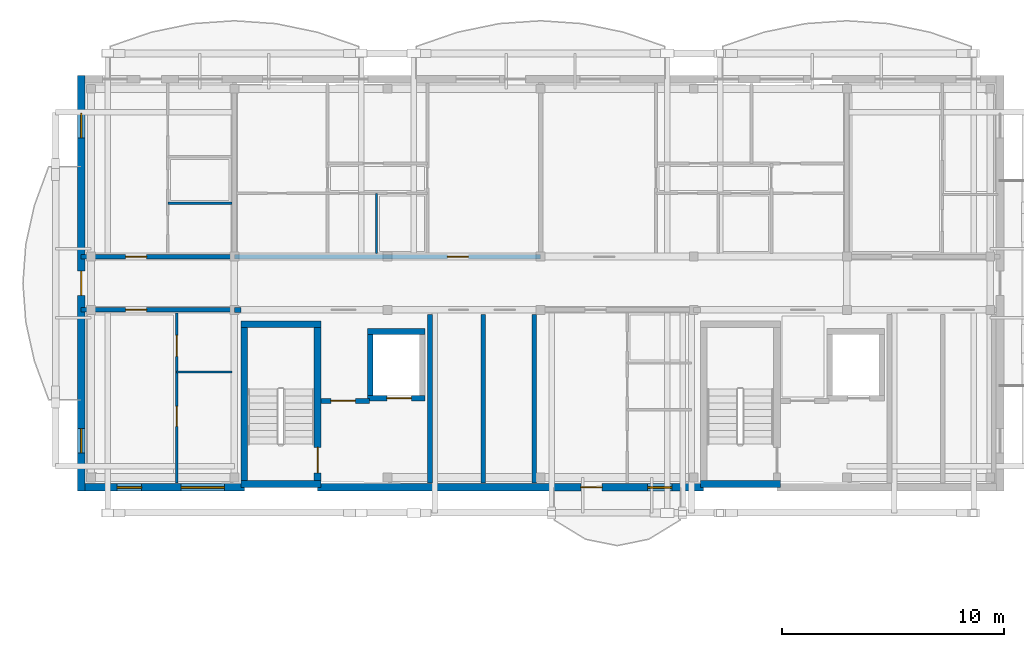
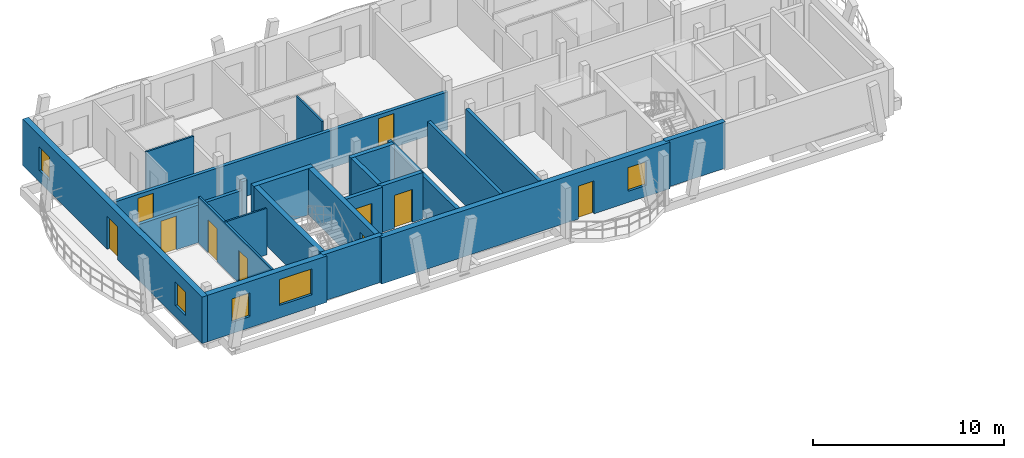
# One storey, part 19 of 41: 23 walls, 10 doors, 5 windows, 15 openings.
"""IFC4 building model written with IfcOpenShell, lengths in metres."""

from ifc_helpers import new_model, si_unit, direction, frame, frame_2d, origin, origin_with_axes, place, context, subcontext, project, spatial, rectangle, extrude, material, layer, layer_set, type_object, element, fill, save


model = new_model("IFC4")

# Units and contexts
model_context = context("Model", 3, precision=1e-05, world=origin(), true_north=direction((0.0, 1.0)))
body_context = subcontext(model_context, "Body", "Model", "MODEL_VIEW")
ifc_project = project(units=[si_unit("LENGTHUNIT", "METRE"), si_unit("AREAUNIT", "SQUARE_METRE"), si_unit("VOLUMEUNIT", "CUBIC_METRE"), si_unit("PLANEANGLEUNIT", "RADIAN"), si_unit("MASSUNIT", "GRAM", prefix="KILO")], contexts=[model_context])

# Site, building, storey
site_placement = place(None, origin())
site = spatial("IfcSite", under=ifc_project, at=site_placement, CompositionType="ELEMENT")
building_placement = place(site_placement, origin())
building = spatial("IfcBuilding", under=site, at=building_placement, Name="Zavelmont Quarter", CompositionType="ELEMENT")
storey_placement = place(building_placement, frame((0.0, 0.0, 27.199951171875)))
storey = spatial("IfcBuildingStorey", under=building, at=storey_placement, Name="L08", CompositionType="ELEMENT", Elevation=27.199951171875)

# Wall, openings, windows
ifc_material_1 = material(Name="Natural Belgian limestone", Category="masonry")
ifc_layer_1 = layer(ifc_material_1, 0.340087890625)
ifc_layer_set_1 = layer_set([ifc_layer_1], Name="Natural Belgian limestone")
wall_type_1 = type_object("IfcWallType", Name="EW03", PredefinedType="STANDARD", material=ifc_layer_set_1)
wall_1_placement = place(storey_placement, frame((0.159912109375, 97.60009765625, 0.0), z_axis=(0.0, 0.0, 1.0), x_axis=(1.0, 0.0, 0.0)))
wall_1 = element("IfcWall", 1, at=wall_1_placement, inside=storey, type_object=wall_type_1, Name="L08 exterior limestone wall EW03", PredefinedType="STANDARD", context=body_context, shape_type="SweptSolid", body=[
    extrude(rectangle(XDim=7.190185546875, YDim=0.340087890625, at=frame_2d((3.59521484375, 0.0))), origin(), (0.0, 0.0, 1.0), 2.9599609375),
])
opening_1_placement = place(wall_1_placement, frame((1.4599609375, 0.0, 0.719970703125)))
opening_1 = element("IfcOpeningElement", 2, at=opening_1_placement, cuts=wall_1, Name="Opening WN09", PredefinedType="OPENING", context=body_context, shape_type="SweptSolid", body=[
    extrude(rectangle(XDim=1.10009765625, YDim=1.5, at=frame_2d((0.550048828125, 0.75))), frame((0.0, 0.18212890625, 0.0), z_axis=(0.0, -1.0, 0.0), x_axis=(1.0, 0.0, 0.0)), (0.0, 0.0, 1.0), 0.364013671875),
])
opening_2_placement = place(wall_1_placement, frame((4.33740234375, 0.0, 0.800048828125)))
opening_2 = element("IfcOpeningElement", 3, at=opening_2_placement, cuts=wall_1, Name="Opening WN24", PredefinedType="OPENING", context=body_context, shape_type="SweptSolid", body=[
    extrude(rectangle(XDim=1.949951171875, YDim=1.64990234375, at=frame_2d((0.97509765625, 0.824951171875))), frame((0.0, 0.18212890625, 0.0), z_axis=(0.0, -1.0, 0.0), x_axis=(1.0, 0.0, 0.0)), (0.0, 0.0, 1.0), 0.364013671875),
])
ifc_material_2 = material(Name="Double low-E insulated glazing in thermally broken aluminium frame", Category="aluminium")
window_type_1 = type_object("IfcWindowType", Name="WN09", PartitioningType="SINGLE_PANEL", PredefinedType="WINDOW", material=ifc_material_2)
window_1_placement = place(opening_1_placement, origin_with_axes())
window_1 = element("IfcWindow", 4, at=window_1_placement, inside=storey, type_object=window_type_1, Name="L08 window WN09", OverallHeight=1.5, OverallWidth=1.10009765625, PartitioningType="SINGLE_PANEL", PredefinedType="WINDOW", context=body_context, shape_type="SweptSolid", body=[
    extrude(rectangle(XDim=1.10009765625, YDim=1.5, at=frame_2d((0.550048828125, 0.75))), frame((0.0, 0.030029296875, 0.0), z_axis=(0.0, -1.0, 0.0), x_axis=(1.0, 0.0, 0.0)), (0.0, 0.0, 1.0), 0.06005859375),
])
fill(opening_1, window_1)
window_type_2 = type_object("IfcWindowType", Name="WN24", PartitioningType="SINGLE_PANEL", PredefinedType="WINDOW", material=ifc_material_2)
window_2_placement = place(opening_2_placement, origin_with_axes())
window_2 = element("IfcWindow", 5, at=window_2_placement, inside=storey, type_object=window_type_2, Name="L08 window WN24", OverallHeight=1.64990234375, OverallWidth=1.949951171875, PartitioningType="SINGLE_PANEL", PredefinedType="WINDOW", context=body_context, shape_type="SweptSolid", body=[
    extrude(rectangle(XDim=1.949951171875, YDim=1.64990234375, at=frame_2d((0.97509765625, 0.824951171875))), frame((0.0, 0.030029296875, 0.0), z_axis=(0.0, -1.0, 0.0), x_axis=(1.0, 0.0, 0.0)), (0.0, 0.0, 1.0), 0.06005859375),
])
fill(opening_2, window_2)

# Wall, openings, door, window
wall_2_placement = place(storey_placement, frame((10.64990234375, 97.60009765625, 0.0), z_axis=(0.0, 0.0, 1.0), x_axis=(1.0, 0.0, 0.0)))
wall_2 = element("IfcWall", 6, at=wall_2_placement, inside=storey, type_object=wall_type_1, Name="L08 exterior limestone wall EW03", PredefinedType="STANDARD", context=body_context, shape_type="SweptSolid", body=[
    extrude(rectangle(XDim=17.400146484375, YDim=0.340087890625, at=frame_2d((8.7001953125, 0.0))), origin(), (0.0, 0.0, 1.0), 2.9599609375),
])
opening_3_placement = place(wall_2_placement, frame((11.8701171875, 0.0, 0.0)))
opening_3 = element("IfcOpeningElement", 7, at=opening_3_placement, cuts=wall_2, Name="Opening DR04", PredefinedType="OPENING", context=body_context, shape_type="SweptSolid", body=[
    extrude(rectangle(XDim=0.949951171875, YDim=2.10009765625, at=frame_2d((0.47509765625, 1.050048828125))), frame((0.0, 0.18212890625, 0.0), z_axis=(0.0, -1.0, 0.0), x_axis=(1.0, 0.0, 0.0)), (0.0, 0.0, 1.0), 0.364013671875),
])
opening_4_placement = place(wall_2_placement, frame((14.8701171875, 0.0, 0.719970703125)))
opening_4 = element("IfcOpeningElement", 8, at=opening_4_placement, cuts=wall_2, Name="Opening WN09", PredefinedType="OPENING", context=body_context, shape_type="SweptSolid", body=[
    extrude(rectangle(XDim=1.10009765625, YDim=1.5, at=frame_2d((0.550048828125, 0.75))), frame((0.0, 0.18212890625, 0.0), z_axis=(0.0, -1.0, 0.0), x_axis=(1.0, 0.0, 0.0)), (0.0, 0.0, 1.0), 0.364013671875),
])
ifc_material_3 = material(Name="Thermally broken aluminium and double safety glass", Category="aluminium")
door_type_1 = type_object("IfcDoorType", Name="DR04", OperationType="NOTDEFINED", PredefinedType="DOOR", material=ifc_material_3)
door_1_placement = place(opening_3_placement, origin_with_axes())
door_1 = element("IfcDoor", 9, at=door_1_placement, inside=storey, type_object=door_type_1, Name="Block B L08 glazed balcony door", OperationType="SINGLE_SWING_RIGHT", OverallHeight=2.10009765625, OverallWidth=0.949951171875, PredefinedType="DOOR", context=body_context, shape_type="SweptSolid", body=[
    extrude(rectangle(XDim=0.949951171875, YDim=2.10009765625, at=frame_2d((0.47509765625, 1.050048828125))), frame((0.0, 0.02490234375, 0.0), z_axis=(0.0, -1.0, 0.0), x_axis=(1.0, 0.0, 0.0)), (0.0, 0.0, 1.0), 0.050048828125),
])
fill(opening_3, door_1)
window_3_placement = place(opening_4_placement, origin_with_axes())
window_3 = element("IfcWindow", 10, at=window_3_placement, inside=storey, type_object=window_type_1, Name="L08 window WN09", OverallHeight=1.5, OverallWidth=1.10009765625, PartitioningType="SINGLE_PANEL", PredefinedType="WINDOW", context=body_context, shape_type="SweptSolid", body=[
    extrude(rectangle(XDim=1.10009765625, YDim=1.5, at=frame_2d((0.550048828125, 0.75))), frame((0.0, 0.030029296875, 0.0), z_axis=(0.0, -1.0, 0.0), x_axis=(1.0, 0.0, 0.0)), (0.0, 0.0, 1.0), 0.06005859375),
])
fill(opening_4, window_3)

# Wall, openings, door, windows
wall_3_placement = place(storey_placement, frame((0.0, 97.429931640625, 0.0), z_axis=(0.0, 0.0, 1.0), x_axis=(0.0, 1.0, 0.0)))
wall_3 = element("IfcWall", 11, at=wall_3_placement, inside=storey, type_object=wall_type_1, Name="L08 exterior limestone wall EW03", PredefinedType="STANDARD", context=body_context, shape_type="SweptSolid", body=[
    extrude(rectangle(XDim=18.739990234375, YDim=0.340087890625, at=frame_2d((9.3701171875, 0.0))), origin(), (0.0, 0.0, 1.0), 2.9599609375),
])
opening_5_placement = place(wall_3_placement, frame((8.820068359375, 0.0, 0.0)))
opening_5 = element("IfcOpeningElement", 12, at=opening_5_placement, cuts=wall_3, Name="Opening DR04B", PredefinedType="OPENING", context=body_context, shape_type="SweptSolid", body=[
    extrude(rectangle(XDim=1.10009765625, YDim=2.10009765625, at=frame_2d((0.550048828125, 1.050048828125))), frame((0.0, 0.18212890625, 0.0), z_axis=(0.0, -1.0, 0.0), x_axis=(1.0, 0.0, 0.0)), (0.0, 0.0, 1.0), 0.364013671875),
])
opening_6_placement = place(wall_3_placement, frame((1.719970703125, 0.0, 0.719970703125)))
opening_6 = element("IfcOpeningElement", 13, at=opening_6_placement, cuts=wall_3, Name="Opening WN09", PredefinedType="OPENING", context=body_context, shape_type="SweptSolid", body=[
    extrude(rectangle(XDim=1.10009765625, YDim=1.5, at=frame_2d((0.550048828125, 0.75))), frame((0.0, 0.18212890625, 0.0), z_axis=(0.0, -1.0, 0.0), x_axis=(1.0, 0.0, 0.0)), (0.0, 0.0, 1.0), 0.364013671875),
])
opening_7_placement = place(wall_3_placement, frame((15.919921875, 0.0, 0.719970703125)))
opening_7 = element("IfcOpeningElement", 14, at=opening_7_placement, cuts=wall_3, Name="Opening WN09", PredefinedType="OPENING", context=body_context, shape_type="SweptSolid", body=[
    extrude(rectangle(XDim=1.10009765625, YDim=1.5, at=frame_2d((0.550048828125, 0.75))), frame((0.0, 0.18212890625, 0.0), z_axis=(0.0, -1.0, 0.0), x_axis=(1.0, 0.0, 0.0)), (0.0, 0.0, 1.0), 0.364013671875),
])
door_type_2 = type_object("IfcDoorType", Name="DR04B", OperationType="NOTDEFINED", PredefinedType="DOOR", material=ifc_material_3)
door_2_placement = place(opening_5_placement, frame((1.10009765625, 0.0, 0.0), z_axis=(0.0, 0.0, 1.0), x_axis=(-1.0, 0.0, 0.0)))
door_2 = element("IfcDoor", 15, at=door_2_placement, inside=storey, type_object=door_type_2, Name="Block B L08 terrace or vase balcony door", OperationType="SINGLE_SWING_LEFT", OverallHeight=2.10009765625, OverallWidth=1.10009765625, PredefinedType="DOOR", context=body_context, shape_type="SweptSolid", body=[
    extrude(rectangle(XDim=1.10009765625, YDim=2.10009765625, at=frame_2d((0.550048828125, 1.050048828125))), frame((0.0, 0.02490234375, 0.0), z_axis=(0.0, -1.0, 0.0), x_axis=(1.0, 0.0, 0.0)), (0.0, 0.0, 1.0), 0.050048828125),
])
fill(opening_5, door_2)
window_4_placement = place(opening_6_placement, origin_with_axes())
window_4 = element("IfcWindow", 16, at=window_4_placement, inside=storey, type_object=window_type_1, Name="L08 window WN09", OverallHeight=1.5, OverallWidth=1.10009765625, PartitioningType="SINGLE_PANEL", PredefinedType="WINDOW", context=body_context, shape_type="SweptSolid", body=[
    extrude(rectangle(XDim=1.10009765625, YDim=1.5, at=frame_2d((0.550048828125, 0.75))), frame((0.0, 0.030029296875, 0.0), z_axis=(0.0, -1.0, 0.0), x_axis=(1.0, 0.0, 0.0)), (0.0, 0.0, 1.0), 0.06005859375),
])
fill(opening_6, window_4)
window_5_placement = place(opening_7_placement, origin_with_axes())
window_5 = element("IfcWindow", 17, at=window_5_placement, inside=storey, type_object=window_type_1, Name="L08 window WN09", OverallHeight=1.5, OverallWidth=1.10009765625, PartitioningType="SINGLE_PANEL", PredefinedType="WINDOW", context=body_context, shape_type="SweptSolid", body=[
    extrude(rectangle(XDim=1.10009765625, YDim=1.5, at=frame_2d((0.550048828125, 0.75))), frame((0.0, 0.030029296875, 0.0), z_axis=(0.0, -1.0, 0.0), x_axis=(1.0, 0.0, 0.0)), (0.0, 0.0, 1.0), 0.06005859375),
])
fill(opening_7, window_5)

# Walls
ifc_material_4 = material(Name="Calcium-silicate blockwork and acoustic plaster", Category="masonry")
ifc_layer_2 = layer(ifc_material_4, 0.199951171875)
ifc_layer_set_2 = layer_set([ifc_layer_2], Name="Calcium-silicate blockwork and acoustic plaster")
wall_type_2 = type_object("IfcWallType", Name="IW01", PredefinedType="PARTITIONING", material=ifc_layer_set_2)
for number, where, z_axis, x_axis, name in (
    (18, (18.125, 97.800048828125, 0.0), (0.0, 0.0, 1.0), (0.0, 1.0, 0.0), "L08 Service riser divider wall IW01"),
    (19, (20.419921875, 97.800048828125, 0.0), (0.0, 0.0, 1.0), (0.0, 1.0, 0.0), "L08 Core service end wall IW01"),
):
    element("IfcWall", number, at=place(storey_placement, frame(where, z_axis=z_axis, x_axis=x_axis)), inside=storey, type_object=wall_type_2, Name=name, PredefinedType="PARTITIONING", context=body_context, shape_type="SweptSolid", body=[
        extrude(rectangle(XDim=7.599853515625, YDim=0.199951171875, at=frame_2d((3.7998046875, 0.0))), origin(), (0.0, 0.0, 1.0), 2.9599609375),
    ])

# Wall, opening, door
wall_4_placement = place(storey_placement, frame((0.0, 108.0, 0.0), z_axis=(0.0, 0.0, 1.0), x_axis=(1.0, 0.0, 0.0)))
wall_4 = element("IfcWall", 20, at=wall_4_placement, inside=storey, type_object=wall_type_2, Name="L08 Corridor compartment wall IW01", PredefinedType="PARTITIONING", context=body_context, shape_type="SweptSolid", body=[
    extrude(rectangle(XDim=6.89990234375, YDim=0.199951171875, at=frame_2d((3.449951171875, 0.0))), origin(), (0.0, 0.0, 1.0), 2.400146484375),
])
opening_8_placement = place(wall_4_placement, frame((2.0, 0.0, 0.0)))
opening_8 = element("IfcOpeningElement", 21, at=opening_8_placement, cuts=wall_4, Name="Opening DR02", PredefinedType="OPENING", context=body_context, shape_type="SweptSolid", body=[
    extrude(rectangle(XDim=0.949951171875, YDim=2.14990234375, at=frame_2d((0.47509765625, 1.074951171875))), frame((0.0, 0.11181640625, 0.0), z_axis=(0.0, -1.0, 0.0), x_axis=(1.0, 0.0, 0.0)), (0.0, 0.0, 1.0), 0.223876953125),
])
ifc_material_5 = material(Name="Solid-core oak fire leaf in steel frame", Category="steel")
door_type_3 = type_object("IfcDoorType", Name="DR02", OperationType="NOTDEFINED", PredefinedType="DOOR", material=ifc_material_5)
door_3_placement = place(opening_8_placement, origin_with_axes())
door_3 = element("IfcDoor", 22, at=door_3_placement, inside=storey, type_object=door_type_3, Name="L08 door DR02", OperationType="SINGLE_SWING_LEFT", OverallHeight=2.14990234375, OverallWidth=0.949951171875, PredefinedType="DOOR", context=body_context, shape_type="SweptSolid", body=[
    extrude(rectangle(XDim=0.949951171875, YDim=2.14990234375, at=frame_2d((0.47509765625, 1.074951171875))), frame((0.0, 0.02490234375, 0.0), z_axis=(0.0, -1.0, 0.0), x_axis=(1.0, 0.0, 0.0)), (0.0, 0.0, 1.0), 0.050048828125),
])
fill(opening_8, door_3)

wall_5_placement = place(storey_placement, frame((6.89990234375, 108.0, 0.0), z_axis=(0.0, 0.0, 1.0), x_axis=(1.0, 0.0, 0.0)))
wall_5 = element("IfcWall", 23, at=wall_5_placement, inside=storey, type_object=wall_type_2, Name="L08 Corridor compartment wall IW01", PredefinedType="PARTITIONING", context=body_context, shape_type="SweptSolid", body=[
    extrude(rectangle(XDim=13.800048828125, YDim=0.199951171875, at=frame_2d((6.89990234375, 0.0))), origin(), (0.0, 0.0, 1.0), 2.400146484375),
])
opening_9_placement = place(wall_5_placement, frame((9.60009765625, 0.0, 0.0)))
opening_9 = element("IfcOpeningElement", 24, at=opening_9_placement, cuts=wall_5, Name="Opening DR02", PredefinedType="OPENING", context=body_context, shape_type="SweptSolid", body=[
    extrude(rectangle(XDim=0.949951171875, YDim=2.14990234375, at=frame_2d((0.47509765625, 1.074951171875))), frame((0.0, 0.11181640625, 0.0), z_axis=(0.0, -1.0, 0.0), x_axis=(1.0, 0.0, 0.0)), (0.0, 0.0, 1.0), 0.223876953125),
])
door_4_placement = place(opening_9_placement, origin_with_axes())
door_4 = element("IfcDoor", 25, at=door_4_placement, inside=storey, type_object=door_type_3, Name="L08 door DR02", OperationType="SINGLE_SWING_RIGHT", OverallHeight=2.14990234375, OverallWidth=0.949951171875, PredefinedType="DOOR", context=body_context, shape_type="SweptSolid", body=[
    extrude(rectangle(XDim=0.949951171875, YDim=2.14990234375, at=frame_2d((0.47509765625, 1.074951171875))), frame((0.0, 0.02490234375, 0.0), z_axis=(0.0, -1.0, 0.0), x_axis=(1.0, 0.0, 0.0)), (0.0, 0.0, 1.0), 0.050048828125),
])
fill(opening_9, door_4)

wall_6_placement = place(storey_placement, frame((0.0, 105.60009765625, 0.0), z_axis=(0.0, 0.0, 1.0), x_axis=(1.0, 0.0, 0.0)))
wall_6 = element("IfcWall", 26, at=wall_6_placement, inside=storey, type_object=wall_type_2, Name="L08 Corridor compartment wall IW01", PredefinedType="PARTITIONING", context=body_context, shape_type="SweptSolid", body=[
    extrude(rectangle(XDim=6.89990234375, YDim=0.199951171875, at=frame_2d((3.449951171875, 0.0))), origin(), (0.0, 0.0, 1.0), 2.400146484375),
])
opening_10_placement = place(wall_6_placement, frame((2.0, 0.0, 0.0)))
opening_10 = element("IfcOpeningElement", 27, at=opening_10_placement, cuts=wall_6, Name="Opening DR02", PredefinedType="OPENING", context=body_context, shape_type="SweptSolid", body=[
    extrude(rectangle(XDim=0.949951171875, YDim=2.14990234375, at=frame_2d((0.47509765625, 1.074951171875))), frame((0.0, 0.11181640625, 0.0), z_axis=(0.0, -1.0, 0.0), x_axis=(1.0, 0.0, 0.0)), (0.0, 0.0, 1.0), 0.223876953125),
])
door_5_placement = place(opening_10_placement, frame((0.949951171875, 0.0, 0.0), z_axis=(0.0, 0.0, 1.0), x_axis=(-1.0, 0.0, 0.0)))
door_5 = element("IfcDoor", 28, at=door_5_placement, inside=storey, type_object=door_type_3, Name="L08 door DR02", OperationType="SINGLE_SWING_LEFT", OverallHeight=2.14990234375, OverallWidth=0.949951171875, PredefinedType="DOOR", context=body_context, shape_type="SweptSolid", body=[
    extrude(rectangle(XDim=0.949951171875, YDim=2.14990234375, at=frame_2d((0.47509765625, 1.074951171875))), frame((0.0, 0.02490234375, 0.0), z_axis=(0.0, -1.0, 0.0), x_axis=(1.0, 0.0, 0.0)), (0.0, 0.0, 1.0), 0.050048828125),
])
fill(opening_10, door_5)

# Wall
ifc_material_6 = material(Name="Reinforced masonry fire compartment wall", Category="masonry")
ifc_layer_3 = layer(ifc_material_6, 0.22509765625)
ifc_layer_set_3 = layer_set([ifc_layer_3], Name="Reinforced masonry fire compartment wall")
wall_type_3 = type_object("IfcWallType", Name="IW02", PredefinedType="PARTITIONING", material=ifc_layer_set_3)
wall_7_placement = place(storey_placement, frame((15.7099609375, 97.800048828125, 0.0), z_axis=(0.0, 0.0, 1.0), x_axis=(0.0, 1.0, 0.0)))
element("IfcWall", 29, at=wall_7_placement, inside=storey, type_object=wall_type_3, Name="L08 Firefighting lobby enclosure wall IW02", PredefinedType="PARTITIONING", context=body_context, shape_type="SweptSolid", body=[
    extrude(rectangle(XDim=7.599853515625, YDim=0.22509765625, at=frame_2d((3.7998046875, 0.0))), origin(), (0.0, 0.0, 1.0), 2.590087890625),
])

# Wall, opening, door
wall_8_placement = place(storey_placement, frame((10.800048828125, 101.5, 0.0), z_axis=(0.0, 0.0, 1.0), x_axis=(1.0, 0.0, 0.0)))
wall_8 = element("IfcWall", 30, at=wall_8_placement, inside=storey, type_object=wall_type_3, Name="L08 Firefighting lobby threshold wall IW02", PredefinedType="PARTITIONING", context=body_context, shape_type="SweptSolid", body=[
    extrude(rectangle(XDim=2.199951171875, YDim=0.22509765625, at=frame_2d((1.10009765625, 0.0))), origin(), (0.0, 0.0, 1.0), 2.9599609375),
])
opening_11_placement = place(wall_8_placement, frame((0.449951171875, 0.0, 0.0)))
opening_11 = element("IfcOpeningElement", 31, at=opening_11_placement, cuts=wall_8, Name="Opening DR10", PredefinedType="OPENING", context=body_context, shape_type="SweptSolid", body=[
    extrude(rectangle(XDim=1.10009765625, YDim=2.14990234375, at=frame_2d((0.550048828125, 1.074951171875))), frame((0.0, 0.12451171875, 0.0), z_axis=(0.0, -1.0, 0.0), x_axis=(1.0, 0.0, 0.0)), (0.0, 0.0, 1.0), 0.2490234375),
])
ifc_material_7 = material(Name="Painted steel lobby fire door", Category="steel")
door_type_4 = type_object("IfcDoorType", Name="DR10", OperationType="NOTDEFINED", PredefinedType="DOOR", material=ifc_material_7)
door_6_placement = place(opening_11_placement, frame((1.10009765625, 0.0, 0.0), z_axis=(0.0, 0.0, 1.0), x_axis=(-1.0, 0.0, 0.0)))
door_6 = element("IfcDoor", 32, at=door_6_placement, inside=storey, type_object=door_type_4, Name="Firefighting lobby fire door", OperationType="SINGLE_SWING_RIGHT", OverallHeight=2.14990234375, OverallWidth=1.10009765625, PredefinedType="DOOR", context=body_context, shape_type="SweptSolid", body=[
    extrude(rectangle(XDim=1.10009765625, YDim=2.14990234375, at=frame_2d((0.550048828125, 1.074951171875))), frame((0.0, 0.02490234375, 0.0), z_axis=(0.0, -1.0, 0.0), x_axis=(1.0, 0.0, 0.0)), (0.0, 0.0, 1.0), 0.050048828125),
])
fill(opening_11, door_6)

# Wall
wall_9_placement = place(storey_placement, frame((6.89990234375, 105.60009765625, 0.0), z_axis=(0.0, 0.0, 1.0), x_axis=(1.0, 0.0, 0.0)))
element("IfcWall", 33, at=wall_9_placement, inside=storey, type_object=wall_type_3, Name="L08 Core corridor wall IW02", PredefinedType="PARTITIONING", context=body_context, shape_type="SweptSolid", body=[
    extrude(rectangle(XDim=0.300048828125, YDim=0.22509765625, at=frame_2d((0.14990234375, 0.0))), origin(), (0.0, 0.0, 1.0), 2.9599609375),
])

# Wall, openings, doors
ifc_material_8 = material(Name="Double gypsum board on acoustic steel stud", Category="steel")
ifc_layer_4 = layer(ifc_material_8, 0.125)
ifc_layer_set_4 = layer_set([ifc_layer_4], Name="Double gypsum board on acoustic steel stud")
wall_type_4 = type_object("IfcWallType", Name="IW03", PredefinedType="PARTITIONING", material=ifc_layer_set_4)
wall_10_placement = place(storey_placement, frame((4.300048828125, 105.449951171875, 0.0), z_axis=(0.0, 0.0, 1.0), x_axis=(0.0, -1.0, 0.0)))
wall_10 = element("IfcWall", 34, at=wall_10_placement, inside=storey, type_object=wall_type_4, Name="L08 Partition IW03", PredefinedType="PARTITIONING", context=body_context, shape_type="SweptSolid", body=[
    extrude(rectangle(XDim=7.64990234375, YDim=0.125, at=frame_2d((3.824951171875, 0.0))), origin(), (0.0, 0.0, 1.0), 2.9599609375),
])
opening_12_placement = place(wall_10_placement, frame((1.0, 0.0, 0.0)))
opening_12 = element("IfcOpeningElement", 35, at=opening_12_placement, cuts=wall_10, Name="Opening DR17", PredefinedType="OPENING", context=body_context, shape_type="SweptSolid", body=[
    extrude(rectangle(XDim=0.949951171875, YDim=2.10009765625, at=frame_2d((0.47509765625, 1.050048828125))), frame((0.0, 0.074462890625, 0.0), z_axis=(0.0, -1.0, 0.0), x_axis=(1.0, 0.0, 0.0)), (0.0, 0.0, 1.0), 0.14892578125),
])
opening_13_placement = place(wall_10_placement, frame((4.199951171875, 0.0, 0.0)))
opening_13 = element("IfcOpeningElement", 36, at=opening_13_placement, cuts=wall_10, Name="Opening DR05", PredefinedType="OPENING", context=body_context, shape_type="SweptSolid", body=[
    extrude(rectangle(XDim=0.89990234375, YDim=2.10009765625, at=frame_2d((0.449951171875, 1.050048828125))), frame((0.0, 0.074462890625, 0.0), z_axis=(0.0, -1.0, 0.0), x_axis=(1.0, 0.0, 0.0)), (0.0, 0.0, 1.0), 0.14892578125),
])
ifc_material_9 = material(Name="Engineered oak flush interior door")
door_type_5 = type_object("IfcDoorType", Name="DR05", OperationType="NOTDEFINED", PredefinedType="DOOR", material=ifc_material_9)
door_7_placement = place(opening_13_placement, origin_with_axes())
door_7 = element("IfcDoor", 37, at=door_7_placement, inside=storey, type_object=door_type_5, Name="L08 door DR05", OperationType="SINGLE_SWING_RIGHT", OverallHeight=2.10009765625, OverallWidth=0.89990234375, PredefinedType="DOOR", context=body_context, shape_type="SweptSolid", body=[
    extrude(rectangle(XDim=0.89990234375, YDim=2.10009765625, at=frame_2d((0.449951171875, 1.050048828125))), frame((0.0, 0.02490234375, 0.0), z_axis=(0.0, -1.0, 0.0), x_axis=(1.0, 0.0, 0.0)), (0.0, 0.0, 1.0), 0.050048828125),
])
fill(opening_13, door_7)
ifc_material_10 = material(Name="Accessible washroom flush door")
door_type_6 = type_object("IfcDoorType", Name="DR17", OperationType="NOTDEFINED", PredefinedType="DOOR", material=ifc_material_10)
door_8_placement = place(opening_12_placement, frame((0.949951171875, 0.0, 0.0), z_axis=(0.0, 0.0, 1.0), x_axis=(-1.0, 0.0, 0.0)))
door_8 = element("IfcDoor", 38, at=door_8_placement, inside=storey, type_object=door_type_6, Name="L08 door DR17", OperationType="SINGLE_SWING_LEFT", OverallHeight=2.10009765625, OverallWidth=0.949951171875, PredefinedType="DOOR", context=body_context, shape_type="SweptSolid", body=[
    extrude(rectangle(XDim=0.949951171875, YDim=2.10009765625, at=frame_2d((0.47509765625, 1.050048828125))), frame((0.0, 0.02490234375, 0.0), z_axis=(0.0, -1.0, 0.0), x_axis=(1.0, 0.0, 0.0)), (0.0, 0.0, 1.0), 0.050048828125),
])
fill(opening_12, door_8)

# Walls
ifc_material_11 = material(Name="Moisture-resistant gypsum board on steel stud", Category="steel")
ifc_layer_5 = layer(ifc_material_11, 0.10009765625)
ifc_layer_set_5 = layer_set([ifc_layer_5], Name="Moisture-resistant gypsum board on steel stud")
wall_type_5 = type_object("IfcWallType", Name="IW04", PredefinedType="PARTITIONING", material=ifc_layer_set_5)
wall_11_placement = place(storey_placement, frame((3.89990234375, 110.39990234375, 0.0), z_axis=(0.0, 0.0, 1.0), x_axis=(1.0, 0.0, 0.0)))
element("IfcWall", 39, at=wall_11_placement, inside=storey, type_object=wall_type_5, Name="L08 Partition IW04", PredefinedType="PARTITIONING", context=body_context, shape_type="SweptSolid", body=[
    extrude(rectangle(XDim=2.900146484375, YDim=0.10009765625, at=frame_2d((1.4501953125, 0.0))), origin(), (0.0, 0.0, 1.0), 2.9599609375),
])
wall_12_placement = place(storey_placement, frame((13.300048828125, 108.14990234375, 0.0), z_axis=(0.0, 0.0, 1.0), x_axis=(0.0, 1.0, 0.0)))
element("IfcWall", 40, at=wall_12_placement, inside=storey, type_object=wall_type_5, Name="L08 Partition IW04", PredefinedType="PARTITIONING", context=body_context, shape_type="SweptSolid", body=[
    extrude(rectangle(XDim=2.7001953125, YDim=0.10009765625, at=frame_2d((1.35009765625, 0.0))), origin(), (0.0, 0.0, 1.0), 2.9599609375),
])
wall_13_placement = place(storey_placement, frame((4.300048828125, 102.800048828125, 0.0), z_axis=(0.0, 0.0, 1.0), x_axis=(1.0, 0.0, 0.0)))
element("IfcWall", 41, at=wall_13_placement, inside=storey, type_object=wall_type_5, Name="L08 Partition IW04", PredefinedType="PARTITIONING", context=body_context, shape_type="SweptSolid", body=[
    extrude(rectangle(XDim=2.5, YDim=0.10009765625, at=frame_2d((1.25, 0.0))), origin(), (0.0, 0.0, 1.0), 2.9599609375),
])
ifc_material_12 = material(Name="Concrete C40/50", Category="concrete")
ifc_layer_6 = layer(ifc_material_12, 0.300048828125)
ifc_layer_set_6 = layer_set([ifc_layer_6], Name="Concrete C40/50")
wall_type_6 = type_object("IfcWallType", Name="SW01", PredefinedType="SHEAR", material=ifc_layer_set_6)
wall_14_placement = place(storey_placement, frame((7.199951171875, 104.949951171875, 0.0), z_axis=(0.0, 0.0, 1.0), x_axis=(1.0, 0.0, 0.0)))
element("IfcWall", 42, at=wall_14_placement, inside=storey, type_object=wall_type_6, Name="L08 ST03 corridor shear wall SW01", PredefinedType="SHEAR", context=body_context, shape_type="SweptSolid", body=[
    extrude(rectangle(XDim=3.60009765625, YDim=0.300048828125, at=frame_2d((1.800048828125, 0.0))), origin(), (0.0, 0.0, 1.0), 2.9599609375),
])
wall_15_placement = place(storey_placement, frame((7.35009765625, 97.60009765625, 0.0), z_axis=(0.0, 0.0, 1.0), x_axis=(0.0, 1.0, 0.0)))
element("IfcWall", 43, at=wall_15_placement, inside=storey, type_object=wall_type_6, Name="L08 ST03 west shear wall SW01", PredefinedType="SHEAR", context=body_context, shape_type="SweptSolid", body=[
    extrude(rectangle(XDim=7.5, YDim=0.300048828125, at=frame_2d((3.75, 0.0))), origin(), (0.0, 0.0, 1.0), 2.9599609375),
])

# Wall, opening, door
wall_16_placement = place(storey_placement, frame((10.64990234375, 97.60009765625, 0.0), z_axis=(0.0, 0.0, 1.0), x_axis=(0.0, 1.0, 0.0)))
wall_16 = element("IfcWall", 44, at=wall_16_placement, inside=storey, type_object=wall_type_6, Name="L08 ST03 lobby shear wall SW01", PredefinedType="SHEAR", context=body_context, shape_type="SweptSolid", body=[
    extrude(rectangle(XDim=7.5, YDim=0.300048828125, at=frame_2d((3.75, 0.0))), origin(), (0.0, 0.0, 1.0), 2.9599609375),
])
opening_14_placement = place(wall_16_placement, frame((0.64990234375, 0.0, 0.0)))
opening_14 = element("IfcOpeningElement", 45, at=opening_14_placement, cuts=wall_16, Name="Opening DR09", PredefinedType="OPENING", context=body_context, shape_type="SweptSolid", body=[
    extrude(rectangle(XDim=1.14990234375, YDim=2.14990234375, at=frame_2d((0.574951171875, 1.074951171875))), frame((0.0, 0.162109375, 0.0), z_axis=(0.0, -1.0, 0.0), x_axis=(1.0, 0.0, 0.0)), (0.0, 0.0, 1.0), 0.323974609375),
])
ifc_material_13 = material(Name="Painted steel stair-core fire door", Category="steel")
door_type_7 = type_object("IfcDoorType", Name="DR09", OperationType="NOTDEFINED", PredefinedType="DOOR", material=ifc_material_13)
door_9_placement = place(opening_14_placement, origin_with_axes())
door_9 = element("IfcDoor", 46, at=door_9_placement, inside=storey, type_object=door_type_7, Name="ST03 protected stair door", OperationType="SINGLE_SWING_RIGHT", OverallHeight=2.14990234375, OverallWidth=1.14990234375, PredefinedType="DOOR", context=body_context, shape_type="SweptSolid", body=[
    extrude(rectangle(XDim=1.14990234375, YDim=2.14990234375, at=frame_2d((0.574951171875, 1.074951171875))), frame((0.0, 0.02490234375, 0.0), z_axis=(0.0, -1.0, 0.0), x_axis=(1.0, 0.0, 0.0)), (0.0, 0.0, 1.0), 0.050048828125),
])
fill(opening_14, door_9)

ifc_layer_7 = layer(ifc_material_12, 0.25)
ifc_layer_set_7 = layer_set([ifc_layer_7], Name="Concrete C40/50")
wall_type_7 = type_object("IfcWallType", Name="SW02", PredefinedType="SHEAR", material=ifc_layer_set_7)
wall_17_placement = place(storey_placement, frame((12.89990234375, 101.625, 0.0), z_axis=(0.0, 0.0, 1.0), x_axis=(1.0, 0.0, 0.0)))
wall_17 = element("IfcWall", 47, at=wall_17_placement, inside=storey, type_object=wall_type_7, Name="L08 Lift FL02 landing shaft wall SW02", PredefinedType="SHEAR", context=body_context, shape_type="SweptSolid", body=[
    extrude(rectangle(XDim=2.60009765625, YDim=0.25, at=frame_2d((1.300048828125, 0.0))), origin(), (0.0, 0.0, 1.0), 2.9599609375),
])
opening_15_placement = place(wall_17_placement, frame((0.875, 0.0, 0.0)))
opening_15 = element("IfcOpeningElement", 48, at=opening_15_placement, cuts=wall_17, Name="Opening LD02", PredefinedType="OPENING", context=body_context, shape_type="SweptSolid", body=[
    extrude(rectangle(XDim=1.10009765625, YDim=2.10009765625, at=frame_2d((0.550048828125, 1.050048828125))), frame((0.0, 0.136962890625, 0.0), z_axis=(0.0, -1.0, 0.0), x_axis=(1.0, 0.0, 0.0)), (0.0, 0.0, 1.0), 0.27392578125),
])
ifc_material_14 = material(Name="Brushed stainless-steel firefighting lift landing door", Category="steel")
door_type_8 = type_object("IfcDoorType", Name="LD02", OperationType="SLIDING_TO_LEFT", PredefinedType="DOOR", material=ifc_material_14)
door_10_placement = place(opening_15_placement, origin_with_axes())
door_10 = element("IfcDoor", 49, at=door_10_placement, inside=storey, type_object=door_type_8, Name="Lift FL02 sliding landing door", OperationType="SLIDING_TO_LEFT", OverallHeight=2.10009765625, OverallWidth=1.10009765625, PredefinedType="DOOR", context=body_context, shape_type="SweptSolid", body=[
    extrude(rectangle(XDim=1.10009765625, YDim=2.10009765625, at=frame_2d((0.550048828125, 1.050048828125))), frame((0.0, 0.02490234375, 0.0), z_axis=(0.0, -1.0, 0.0), x_axis=(1.0, 0.0, 0.0)), (0.0, 0.0, 1.0), 0.050048828125),
])
fill(opening_15, door_10)

# Walls
wall_18_placement = place(storey_placement, frame((12.89990234375, 104.625, 0.0), z_axis=(0.0, 0.0, 1.0), x_axis=(1.0, 0.0, 0.0)))
element("IfcWall", 50, at=wall_18_placement, inside=storey, type_object=wall_type_7, Name="L08 Lift FL02 back shaft wall SW02", PredefinedType="SHEAR", context=body_context, shape_type="SweptSolid", body=[
    extrude(rectangle(XDim=2.60009765625, YDim=0.25, at=frame_2d((1.300048828125, 0.0))), origin(), (0.0, 0.0, 1.0), 2.9599609375),
])
wall_19_placement = place(storey_placement, frame((13.02490234375, 101.5, 0.0), z_axis=(0.0, 0.0, 1.0), x_axis=(0.0, 1.0, 0.0)))
element("IfcWall", 51, at=wall_19_placement, inside=storey, type_object=wall_type_7, Name="L08 Lift FL02 west shaft wall SW02", PredefinedType="SHEAR", context=body_context, shape_type="SweptSolid", body=[
    extrude(rectangle(XDim=3.25, YDim=0.25, at=frame_2d((1.625, 0.0))), origin(), (0.0, 0.0, 1.0), 2.9599609375),
])
ifc_layer_8 = layer(ifc_material_12, 0.300048828125)
ifc_layer_set_8 = layer_set([ifc_layer_8], Name="Concrete C40/50")
wall_type_8 = type_object("IfcWallType", Name="SW03", PredefinedType="SHEAR", material=ifc_layer_set_8)
for number, where, z_axis, x_axis, name in (
    (52, (7.199951171875, 97.75, 0.0), (0.0, 0.0, 1.0), (1.0, 0.0, 0.0), "L08 ST03 outer shear wall SW03"),
    (53, (27.89990234375, 97.75, 0.0), (0.0, 0.0, 1.0), (1.0, 0.0, 0.0), "L08 ST04 outer shear wall SW03"),
):
    element("IfcWall", number, at=place(storey_placement, frame(where, z_axis=z_axis, x_axis=x_axis)), inside=storey, type_object=wall_type_8, Name=name, PredefinedType="SHEAR", context=body_context, shape_type="SweptSolid", body=[
        extrude(rectangle(XDim=3.60009765625, YDim=0.300048828125, at=frame_2d((1.800048828125, 0.0))), origin(), (0.0, 0.0, 1.0), 2.9599609375),
    ])

save(model, "model.ifc")
